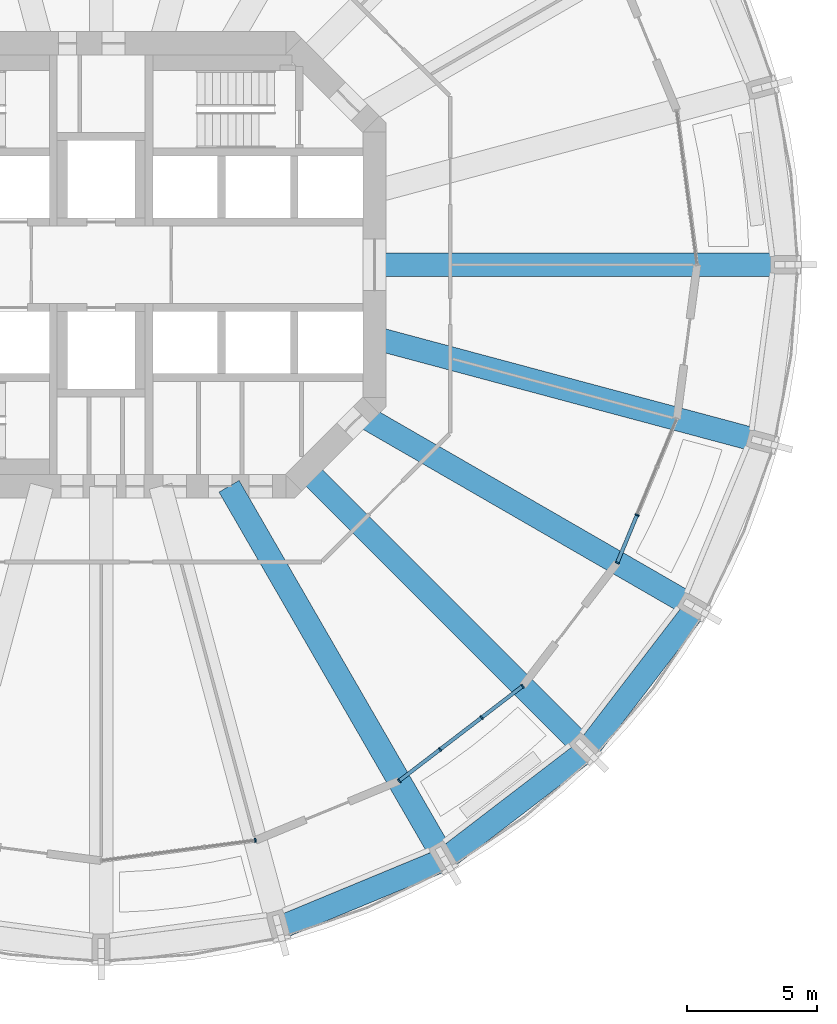
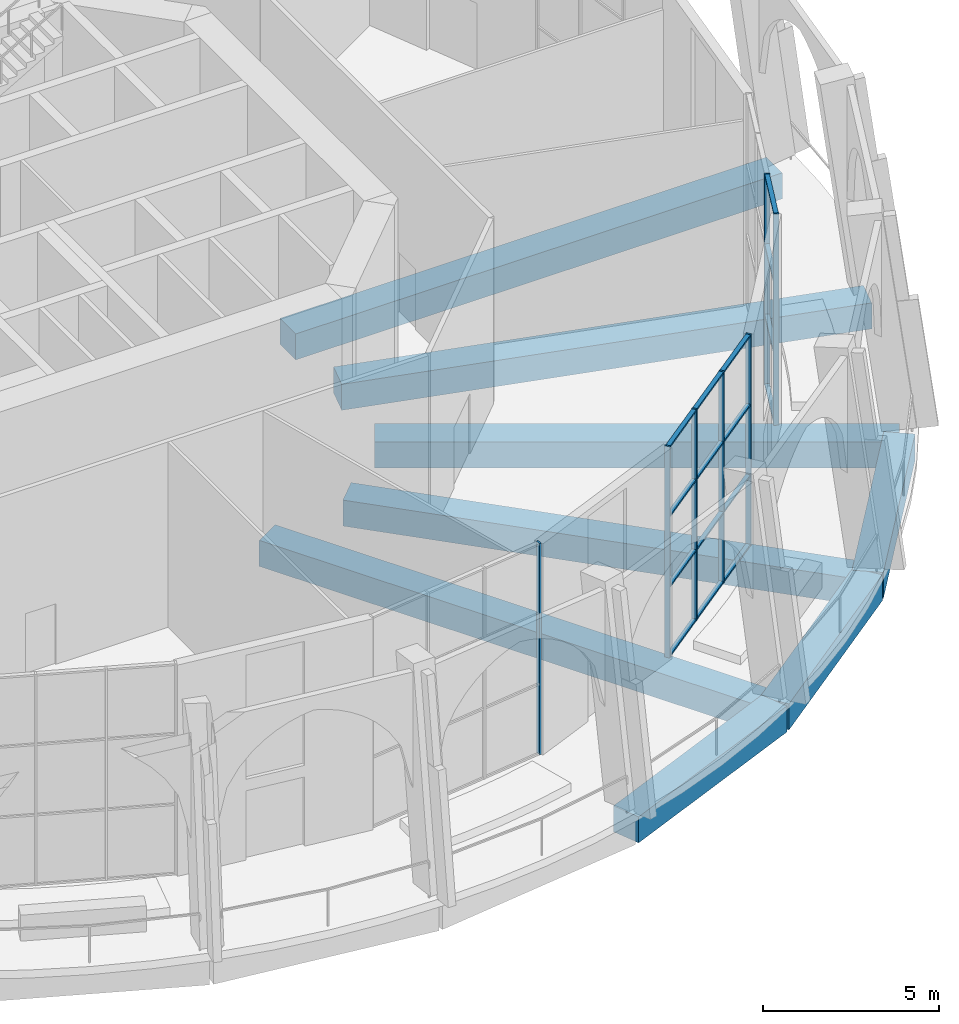
# One storey, part 5 of 19: 23 members, 8 beams, 3 elements without a shape of their own.
"""IFC4 building model written with IfcOpenShell, lengths in metres."""

from ifc_helpers import new_model, si_unit, direction, frame, origin, origin_2d, place, context, subcontext, project, spatial, rectangle, extrude, material, material_profile, profile_set, type_object, element, aggregate, save


model = new_model("IFC4")

# Units and contexts
model_context = context("Model", 3, precision=1e-05, world=origin(), true_north=direction((0.0, 1.0)))
body_context = subcontext(model_context, "Body", "Model", "MODEL_VIEW")
ifc_project = project(units=[si_unit("LENGTHUNIT", "METRE"), si_unit("AREAUNIT", "SQUARE_METRE"), si_unit("VOLUMEUNIT", "CUBIC_METRE"), si_unit("PLANEANGLEUNIT", "RADIAN"), si_unit("MASSUNIT", "GRAM", prefix="KILO")], contexts=[model_context])

# Site, building, storey
site_placement = place(None, origin())
site = spatial("IfcSite", under=ifc_project, at=site_placement, CompositionType="ELEMENT")
building_placement = place(site_placement, origin())
building = spatial("IfcBuilding", under=site, at=building_placement, Name="Torre Triforio", CompositionType="ELEMENT")
storey_placement = place(building_placement, frame((0.0, 0.0, 79.0)))
storey = spatial("IfcBuildingStorey", under=building, at=storey_placement, Name="L17", CompositionType="ELEMENT", Elevation=79.0)

# Curtain wall, member
ifc_material_1 = material(Name="Aluminium mullion and transom frame with clear laminated glass", Category="aluminium")
curtain_wall_type = type_object("IfcCurtainWallType", Name="Sky garden conservatory wall ECW3", PredefinedType="NOTDEFINED", material=ifc_material_1)
curtain_wall_1_placement = place(storey_placement, origin())
curtain_wall_1 = element("IfcCurtainWall", 1, at=curtain_wall_1_placement, inside=storey, type_object=curtain_wall_type, Name="Conservatory wall L17 bay 19", PredefinedType="NOTDEFINED")
ifc_material_2 = material(Name="Anodised aluminium extrusion", Category="aluminium")
ifc_material_profile_1 = material_profile(ifc_material_2, rectangle(XDim=0.159912109375, YDim=0.06005859375, at=origin_2d()), Name="ECW3 MULLION 60x160")
ifc_profile_set_1 = profile_set([ifc_material_profile_1], Name="Anodised aluminium extrusion")
member_type_1 = type_object("IfcMemberType", Name="ECW3 mullion 60 x 160", PredefinedType="MULLION", material=ifc_profile_set_1)
member_1_placement = place(storey_placement, frame((5.952880859375, -22.21630859375, 0.0), z_axis=(0.0, 0.0, 1.0), x_axis=(-0.130520630599, 0.991445593559, 0.0)))
member_1 = element("IfcMember", 2, at=member_1_placement, type_object=member_type_1, Name="ECW3 mullion 4", PredefinedType="MULLION", context=body_context, shape_type="SweptSolid", body=[
    extrude(rectangle(XDim=0.159912109375, YDim=0.06005859375, at=origin_2d()), origin(), (0.0, 0.0, 1.0), 7.320068359375),
])
aggregate(curtain_wall_1, [member_1])

# Curtain wall, members
curtain_wall_2_placement = place(storey_placement, origin())
curtain_wall_2 = element("IfcCurtainWall", 3, at=curtain_wall_2_placement, inside=storey, type_object=curtain_wall_type, Name="Conservatory wall L17 bay 21", PredefinedType="NOTDEFINED")
member_2_placement = place(storey_placement, frame((11.5, -19.91845703125, 0.0), z_axis=(0.0, 0.0, 1.0), x_axis=(-0.608752412461, 0.79336025885, 0.0)))
member_2 = element("IfcMember", 4, at=member_2_placement, type_object=member_type_1, Name="ECW3 mullion 1", PredefinedType="MULLION", context=body_context, shape_type="SweptSolid", body=[
    extrude(rectangle(XDim=0.159912109375, YDim=0.06005859375, at=origin_2d()), origin(), (0.0, 0.0, 1.0), 7.320068359375),
])
member_3_placement = place(storey_placement, frame((13.079833984375, -18.706298828125, 0.0), z_axis=(0.0, 0.0, 1.0), x_axis=(-0.608752412461, 0.79336025885, 0.0)))
member_3 = element("IfcMember", 5, at=member_3_placement, type_object=member_type_1, Name="ECW3 mullion 2", PredefinedType="MULLION", context=body_context, shape_type="SweptSolid", body=[
    extrude(rectangle(XDim=0.159912109375, YDim=0.06005859375, at=origin_2d()), origin(), (0.0, 0.0, 1.0), 7.320068359375),
])
member_4_placement = place(storey_placement, frame((14.68359375, -17.475830078125, 0.0), z_axis=(0.0, 0.0, 1.0), x_axis=(-0.608752412461, 0.79336025885, 0.0)))
member_4 = element("IfcMember", 6, at=member_4_placement, type_object=member_type_1, Name="ECW3 mullion 3", PredefinedType="MULLION", context=body_context, shape_type="SweptSolid", body=[
    extrude(rectangle(XDim=0.159912109375, YDim=0.06005859375, at=origin_2d()), origin(), (0.0, 0.0, 1.0), 7.320068359375),
])
member_5_placement = place(storey_placement, frame((16.263427734375, -16.263427734375, 0.0), z_axis=(0.0, 0.0, 1.0), x_axis=(-0.608752412461, 0.79336025885, 0.0)))
member_5 = element("IfcMember", 7, at=member_5_placement, type_object=member_type_1, Name="ECW3 mullion 4", PredefinedType="MULLION", context=body_context, shape_type="SweptSolid", body=[
    extrude(rectangle(XDim=0.159912109375, YDim=0.06005859375, at=origin_2d()), origin(), (0.0, 0.0, 1.0), 7.320068359375),
])

curtain_wall_3_placement = place(storey_placement, origin())
curtain_wall_3 = element("IfcCurtainWall", 8, at=curtain_wall_3_placement, inside=storey, type_object=curtain_wall_type, Name="Conservatory wall L17 bay 23", PredefinedType="NOTDEFINED")
member_6_placement = place(storey_placement, frame((19.918701171875, -11.5, 0.0), z_axis=(0.0, 0.0, 1.0), x_axis=(-0.923877952799, 0.382687246105, 0.0)))
member_6 = element("IfcMember", 9, at=member_6_placement, type_object=member_type_1, Name="ECW3 mullion 1", PredefinedType="MULLION", context=body_context, shape_type="SweptSolid", body=[
    extrude(rectangle(XDim=0.159912109375, YDim=0.06005859375, at=origin_2d()), origin(), (0.0, 0.0, 1.0), 7.320068359375),
])
member_7_placement = place(storey_placement, frame((20.6806640625, -9.66015625, 0.0), z_axis=(0.0, 0.0, 1.0), x_axis=(-0.923877952799, 0.382687246105, 0.0)))
member_7 = element("IfcMember", 10, at=member_7_placement, type_object=member_type_1, Name="ECW3 mullion 2", PredefinedType="MULLION", context=body_context, shape_type="SweptSolid", body=[
    extrude(rectangle(XDim=0.159912109375, YDim=0.06005859375, at=origin_2d()), origin(), (0.0, 0.0, 1.0), 7.320068359375),
])

# Member
ifc_material_profile_2 = material_profile(ifc_material_2, rectangle(XDim=0.139892578125, YDim=0.06005859375, at=origin_2d()), Name="ECW3 TRANSOM 60x140")
ifc_profile_set_2 = profile_set([ifc_material_profile_2], Name="Anodised aluminium extrusion")
member_type_2 = type_object("IfcMemberType", Name="ECW3 transom 60 x 140", PredefinedType="USERDEFINED", material=ifc_profile_set_2)
member_8_placement = place(storey_placement, frame((11.523681640625, -19.900390625, 0.030029296875), z_axis=(0.793384563644, 0.608720735783, 0.0), x_axis=(-0.608720735783, 0.793384563644, 0.0)))
member_8 = element("IfcMember", 11, at=member_8_placement, type_object=member_type_2, Name="ECW3 transom 1.1", ObjectType="TRANSOM", PredefinedType="USERDEFINED", context=body_context, shape_type="SweptSolid", body=[
    extrude(rectangle(XDim=0.139892578125, YDim=0.06005859375, at=origin_2d()), origin(), (0.0, 0.0, 1.0), 1.931640625),
])

member_9_placement = place(storey_placement, frame((11.523681640625, -19.900390625, 2.43994140625), z_axis=(0.793384563644, 0.608720735783, 0.0), x_axis=(-0.608720735783, 0.793384563644, 0.0)))
member_9 = element("IfcMember", 12, at=member_9_placement, type_object=member_type_2, Name="ECW3 transom 1.2", ObjectType="TRANSOM", PredefinedType="USERDEFINED", context=body_context, shape_type="SweptSolid", body=[
    extrude(rectangle(XDim=0.139892578125, YDim=0.06005859375, at=origin_2d()), origin(), (0.0, 0.0, 1.0), 1.931640625),
])

member_10_placement = place(storey_placement, frame((11.523681640625, -19.900390625, 4.8798828125), z_axis=(0.793384563644, 0.608720735783, 0.0), x_axis=(-0.608720735783, 0.793384563644, 0.0)))
member_10 = element("IfcMember", 13, at=member_10_placement, type_object=member_type_2, Name="ECW3 transom 1.3", ObjectType="TRANSOM", PredefinedType="USERDEFINED", context=body_context, shape_type="SweptSolid", body=[
    extrude(rectangle(XDim=0.139892578125, YDim=0.06005859375, at=origin_2d()), origin(), (0.0, 0.0, 1.0), 1.931640625),
])

member_11_placement = place(storey_placement, frame((11.523681640625, -19.900390625, 7.2900390625), z_axis=(0.793384563644, 0.608720735783, 0.0), x_axis=(-0.608720735783, 0.793384563644, 0.0)))
member_11 = element("IfcMember", 14, at=member_11_placement, type_object=member_type_2, Name="ECW3 transom 1.4", ObjectType="TRANSOM", PredefinedType="USERDEFINED", context=body_context, shape_type="SweptSolid", body=[
    extrude(rectangle(XDim=0.139892578125, YDim=0.06005859375, at=origin_2d()), origin(), (0.0, 0.0, 1.0), 1.931640625),
])

member_12_placement = place(storey_placement, frame((13.103759765625, -18.68798828125, 0.030029296875), z_axis=(0.793349867047, 0.608765955401, 0.0), x_axis=(-0.608765955401, 0.793349867047, 0.0)))
member_12 = element("IfcMember", 15, at=member_12_placement, type_object=member_type_2, Name="ECW3 transom 2.1", ObjectType="TRANSOM", PredefinedType="USERDEFINED", context=body_context, shape_type="SweptSolid", body=[
    extrude(rectangle(XDim=0.139892578125, YDim=0.06005859375, at=origin_2d()), origin(), (0.0, 0.0, 1.0), 1.96142578125),
])

member_13_placement = place(storey_placement, frame((13.103759765625, -18.68798828125, 2.43994140625), z_axis=(0.793349867047, 0.608765955401, 0.0), x_axis=(-0.608765955401, 0.793349867047, 0.0)))
member_13 = element("IfcMember", 16, at=member_13_placement, type_object=member_type_2, Name="ECW3 transom 2.2", ObjectType="TRANSOM", PredefinedType="USERDEFINED", context=body_context, shape_type="SweptSolid", body=[
    extrude(rectangle(XDim=0.139892578125, YDim=0.06005859375, at=origin_2d()), origin(), (0.0, 0.0, 1.0), 1.96142578125),
])

member_14_placement = place(storey_placement, frame((13.103759765625, -18.68798828125, 4.8798828125), z_axis=(0.793349867047, 0.608765955401, 0.0), x_axis=(-0.608765955401, 0.793349867047, 0.0)))
member_14 = element("IfcMember", 17, at=member_14_placement, type_object=member_type_2, Name="ECW3 transom 2.3", ObjectType="TRANSOM", PredefinedType="USERDEFINED", context=body_context, shape_type="SweptSolid", body=[
    extrude(rectangle(XDim=0.139892578125, YDim=0.06005859375, at=origin_2d()), origin(), (0.0, 0.0, 1.0), 1.96142578125),
])

member_15_placement = place(storey_placement, frame((13.103759765625, -18.68798828125, 7.2900390625), z_axis=(0.793349867047, 0.608765955401, 0.0), x_axis=(-0.608765955401, 0.793349867047, 0.0)))
member_15 = element("IfcMember", 18, at=member_15_placement, type_object=member_type_2, Name="ECW3 transom 2.4", ObjectType="TRANSOM", PredefinedType="USERDEFINED", context=body_context, shape_type="SweptSolid", body=[
    extrude(rectangle(XDim=0.139892578125, YDim=0.06005859375, at=origin_2d()), origin(), (0.0, 0.0, 1.0), 1.96142578125),
])

member_16_placement = place(storey_placement, frame((14.70751953125, -17.45751953125, 0.030029296875), z_axis=(0.793337721891, 0.608781782764, 0.0), x_axis=(-0.608781782764, 0.793337721891, 0.0)))
member_16 = element("IfcMember", 19, at=member_16_placement, type_object=member_type_2, Name="ECW3 transom 3.1", ObjectType="TRANSOM", PredefinedType="USERDEFINED", context=body_context, shape_type="SweptSolid", body=[
    extrude(rectangle(XDim=0.139892578125, YDim=0.06005859375, at=origin_2d()), origin(), (0.0, 0.0, 1.0), 1.931396484375),
])

member_17_placement = place(storey_placement, frame((14.70751953125, -17.45751953125, 2.43994140625), z_axis=(0.793337721891, 0.608781782764, 0.0), x_axis=(-0.608781782764, 0.793337721891, 0.0)))
member_17 = element("IfcMember", 20, at=member_17_placement, type_object=member_type_2, Name="ECW3 transom 3.2", ObjectType="TRANSOM", PredefinedType="USERDEFINED", context=body_context, shape_type="SweptSolid", body=[
    extrude(rectangle(XDim=0.139892578125, YDim=0.06005859375, at=origin_2d()), origin(), (0.0, 0.0, 1.0), 1.931396484375),
])

member_18_placement = place(storey_placement, frame((14.70751953125, -17.45751953125, 4.8798828125), z_axis=(0.793337721891, 0.608781782764, 0.0), x_axis=(-0.608781782764, 0.793337721891, 0.0)))
member_18 = element("IfcMember", 21, at=member_18_placement, type_object=member_type_2, Name="ECW3 transom 3.3", ObjectType="TRANSOM", PredefinedType="USERDEFINED", context=body_context, shape_type="SweptSolid", body=[
    extrude(rectangle(XDim=0.139892578125, YDim=0.06005859375, at=origin_2d()), origin(), (0.0, 0.0, 1.0), 1.931396484375),
])

member_19_placement = place(storey_placement, frame((14.70751953125, -17.45751953125, 7.2900390625), z_axis=(0.793337721891, 0.608781782764, 0.0), x_axis=(-0.608781782764, 0.793337721891, 0.0)))
member_19 = element("IfcMember", 22, at=member_19_placement, type_object=member_type_2, Name="ECW3 transom 3.4", ObjectType="TRANSOM", PredefinedType="USERDEFINED", context=body_context, shape_type="SweptSolid", body=[
    extrude(rectangle(XDim=0.139892578125, YDim=0.06005859375, at=origin_2d()), origin(), (0.0, 0.0, 1.0), 1.931396484375),
])

aggregate(curtain_wall_2, [member_2, member_3, member_4, member_5, member_8, member_9, member_10, member_11, member_12, member_13, member_14, member_15, member_16, member_17, member_18, member_19])

member_20_placement = place(storey_placement, frame((19.93017578125, -11.47216796875, 0.030029296875), z_axis=(0.382675586032, 0.92388278253, 0.0), x_axis=(-0.92388278253, 0.382675586032, 0.0)))
member_20 = element("IfcMember", 23, at=member_20_placement, type_object=member_type_2, Name="ECW3 transom 1.1", ObjectType="TRANSOM", PredefinedType="USERDEFINED", context=body_context, shape_type="SweptSolid", body=[
    extrude(rectangle(XDim=0.139892578125, YDim=0.06005859375, at=origin_2d()), origin(), (0.0, 0.0, 1.0), 1.93115234375),
])

member_21_placement = place(storey_placement, frame((19.93017578125, -11.47216796875, 2.43994140625), z_axis=(0.382675586032, 0.92388278253, 0.0), x_axis=(-0.92388278253, 0.382675586032, 0.0)))
member_21 = element("IfcMember", 24, at=member_21_placement, type_object=member_type_2, Name="ECW3 transom 1.2", ObjectType="TRANSOM", PredefinedType="USERDEFINED", context=body_context, shape_type="SweptSolid", body=[
    extrude(rectangle(XDim=0.139892578125, YDim=0.06005859375, at=origin_2d()), origin(), (0.0, 0.0, 1.0), 1.93115234375),
])

member_22_placement = place(storey_placement, frame((19.93017578125, -11.47216796875, 4.8798828125), z_axis=(0.382675586032, 0.92388278253, 0.0), x_axis=(-0.92388278253, 0.382675586032, 0.0)))
member_22 = element("IfcMember", 25, at=member_22_placement, type_object=member_type_2, Name="ECW3 transom 1.3", ObjectType="TRANSOM", PredefinedType="USERDEFINED", context=body_context, shape_type="SweptSolid", body=[
    extrude(rectangle(XDim=0.139892578125, YDim=0.06005859375, at=origin_2d()), origin(), (0.0, 0.0, 1.0), 1.93115234375),
])

member_23_placement = place(storey_placement, frame((19.93017578125, -11.47216796875, 7.2900390625), z_axis=(0.382675586032, 0.92388278253, 0.0), x_axis=(-0.92388278253, 0.382675586032, 0.0)))
member_23 = element("IfcMember", 26, at=member_23_placement, type_object=member_type_2, Name="ECW3 transom 1.4", ObjectType="TRANSOM", PredefinedType="USERDEFINED", context=body_context, shape_type="SweptSolid", body=[
    extrude(rectangle(XDim=0.139892578125, YDim=0.06005859375, at=origin_2d()), origin(), (0.0, 0.0, 1.0), 1.93115234375),
])

aggregate(curtain_wall_3, [member_6, member_7, member_20, member_21, member_22, member_23])

# Beams
ifc_material_3 = material(Name="Concrete C50", Category="concrete")
ifc_material_profile_3 = material_profile(ifc_material_3, rectangle(XDim=0.89990234375, YDim=0.89990234375, at=origin_2d()), Name="RC 900x900")
ifc_profile_set_3 = profile_set([ifc_material_profile_3], Name="Concrete C50")
beam_type_1 = type_object("IfcBeamType", Name="Radial beam RC 900x900 C50", PredefinedType="BEAM", material=ifc_profile_set_3)
beam_1_placement = place(storey_placement, frame((10.550048828125, 0.0, -0.72998046875), z_axis=(1.0, 0.0, 0.0), x_axis=(0.0, 1.0, 0.0)))
element("IfcBeam", 27, at=beam_1_placement, inside=storey, type_object=beam_type_1, Name="BM.R.L17.00", PredefinedType="BEAM", context=body_context, shape_type="SweptSolid", body=[
    extrude(rectangle(XDim=0.89990234375, YDim=0.89990234375, at=origin_2d()), origin(), (0.0, 0.0, 1.0), 15.949951171875),
])
beam_2_placement = place(storey_placement, frame((4.936279296875, -8.550048828125, -0.72998046875), z_axis=(0.500003345241, -0.8660234724, 0.0), x_axis=(0.8660234724, 0.500003345241, 0.0)))
element("IfcBeam", 28, at=beam_2_placement, inside=storey, type_object=beam_type_1, Name="BM.R.L17.20", PredefinedType="BEAM", context=body_context, shape_type="SweptSolid", body=[
    extrude(rectangle(XDim=0.89990234375, YDim=0.89990234375, at=origin_2d()), origin(), (0.0, 0.0, 1.0), 16.62744140625),
])
beam_3_placement = place(storey_placement, frame((7.918212890625, -7.918212890625, -0.72998046875), z_axis=(0.707106781187, -0.707106781187, 0.0), x_axis=(0.707106781187, 0.707106781187, 0.0)))
element("IfcBeam", 29, at=beam_3_placement, inside=storey, type_object=beam_type_1, Name="BM.R.L17.21", PredefinedType="BEAM", context=body_context, shape_type="SweptSolid", body=[
    extrude(rectangle(XDim=0.89990234375, YDim=0.89990234375, at=origin_2d()), origin(), (0.0, 0.0, 1.0), 15.302001953125),
])
beam_4_placement = place(storey_placement, frame((10.039794921875, -5.796630859375, -0.72998046875), z_axis=(0.866030402573, -0.499991341745, 0.0), x_axis=(0.499991341745, 0.866030402573, 0.0)))
element("IfcBeam", 30, at=beam_4_placement, inside=storey, type_object=beam_type_1, Name="BM.R.L17.22", PredefinedType="BEAM", context=body_context, shape_type="SweptSolid", body=[
    extrude(rectangle(XDim=0.89990234375, YDim=0.89990234375, at=origin_2d()), origin(), (0.0, 0.0, 1.0), 14.906982421875),
])
beam_5_placement = place(storey_placement, frame((10.550048828125, -2.826904296875, -0.72998046875), z_axis=(0.965926784764, -0.258815467997, 0.0), x_axis=(0.258815467997, 0.965926784764, 0.0)))
element("IfcBeam", 31, at=beam_5_placement, inside=storey, type_object=beam_type_1, Name="BM.R.L17.23", PredefinedType="BEAM", context=body_context, shape_type="SweptSolid", body=[
    extrude(rectangle(XDim=0.89990234375, YDim=0.89990234375, at=origin_2d()), origin(), (0.0, 0.0, 1.0), 15.57763671875),
])
ifc_material_profile_4 = material_profile(ifc_material_3, rectangle(XDim=0.89990234375, YDim=0.89990234375, at=origin_2d()), Name="RC 900x900")
ifc_profile_set_4 = profile_set([ifc_material_profile_4], Name="Concrete C50")
beam_type_2 = type_object("IfcBeamType", Name="Spandrel beam RC 900x900 C50", PredefinedType="SPANDREL", material=ifc_profile_set_4)
for number, where, z_axis, x_axis, name in (
    (32, (6.858642578125, -25.596923828125, -0.72998046875), (0.923888227087, 0.382662441128, 0.0), (-0.382662441128, 0.923888227087, 0.0), "BM.S.L17.19"),
    (33, (13.25, -22.94970703125, -0.72998046875), (0.793345000259, 0.608772297796, 0.0), (-0.608772297796, 0.793345000259, 0.0), "BM.S.L17.20"),
    (34, (18.73828125, -18.73828125, -0.72998046875), (0.608772297796, 0.793345000259, 0.0), (-0.793345000259, 0.608772297796, 0.0), "BM.S.L17.21"),
):
    element("IfcBeam", number, at=place(storey_placement, frame(where, z_axis=z_axis, x_axis=x_axis)), inside=storey, type_object=beam_type_2, Name=name, PredefinedType="SPANDREL", context=body_context, shape_type="SweptSolid", body=[
        extrude(rectangle(XDim=0.89990234375, YDim=0.89990234375, at=origin_2d()), origin(), (0.0, 0.0, 1.0), 6.91796875),
    ])

save(model, "model.ifc")
